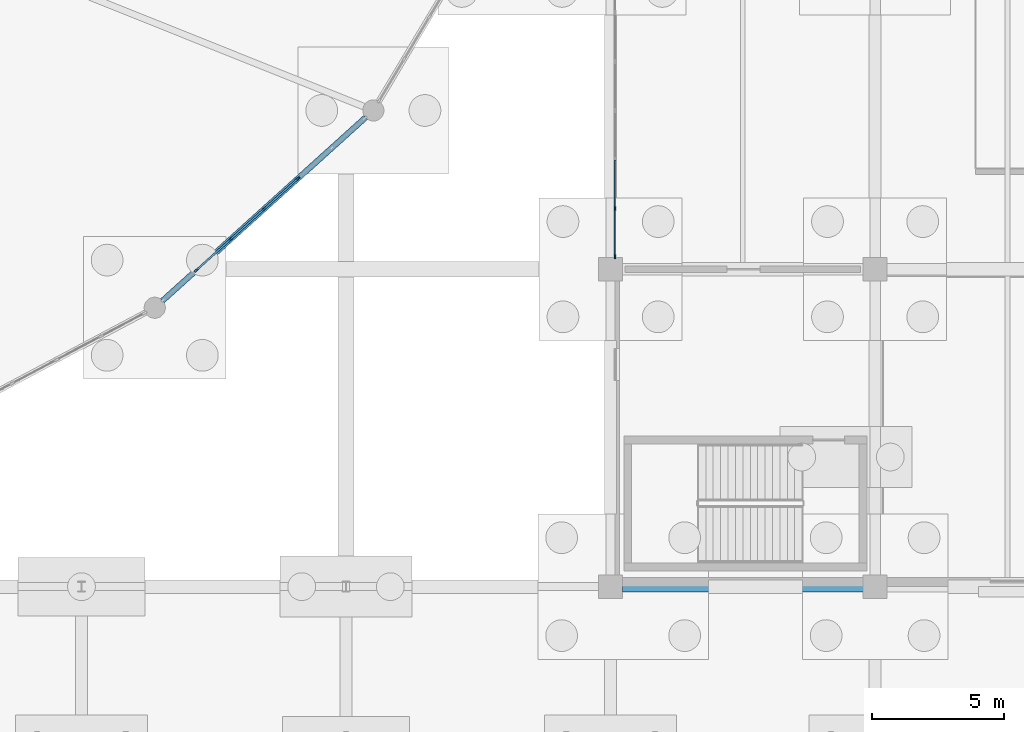
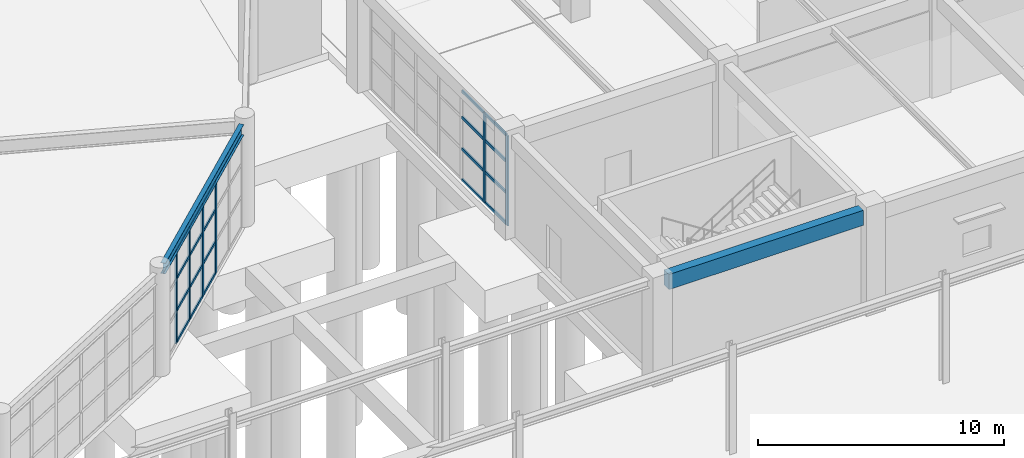
# One storey, part 37 of 99: 26 members, 2 beams, 2 elements without a shape of their own.
"""IFC4 building model written with IfcOpenShell, lengths in metres."""

from ifc_helpers import new_model, si_unit, direction, frame, origin, origin_2d, place, context, subcontext, project, spatial, rectangle, i_section, extrude, material, layer, layer_set, material_profile, profile_set, type_object, element, aggregate, save


model = new_model("IFC4")

# Units and contexts
model_context = context("Model", 3, precision=1e-05, world=origin(), true_north=direction((0.0, 1.0)))
body_context = subcontext(model_context, "Body", "Model", "MODEL_VIEW")
ifc_project = project(units=[si_unit("LENGTHUNIT", "METRE"), si_unit("AREAUNIT", "SQUARE_METRE"), si_unit("VOLUMEUNIT", "CUBIC_METRE"), si_unit("PLANEANGLEUNIT", "RADIAN"), si_unit("MASSUNIT", "GRAM", prefix="KILO")], contexts=[model_context])

# Site, building, storey
site_placement = place(None, origin())
site = spatial("IfcSite", under=ifc_project, at=site_placement, CompositionType="ELEMENT")
building_placement = place(site_placement, origin())
building = spatial("IfcBuilding", under=site, at=building_placement, Name="Kivolera Central Railway Station", CompositionType="ELEMENT")
storey_placement = place(building_placement, origin())
storey = spatial("IfcBuildingStorey", under=building, at=storey_placement, Name="L00", CompositionType="ELEMENT", Elevation=0.0)

# Beams
ifc_material_1 = material(Name="Steel S355", Category="steel")
ifc_material_profile_1 = material_profile(ifc_material_1, i_section(OverallWidth=0.209228515625, OverallDepth=0.533203125, WebThickness=0.010009765625, FlangeThickness=0.015625, FilletRadius=0.0126953125, at=origin_2d()), Name="UB 533x210x92")
ifc_profile_set_1 = profile_set([ifc_material_profile_1], Name="Steel S355")
beam_type_1 = type_object("IfcBeamType", Name="BM-SHD-UB533", PredefinedType="BEAM", material=ifc_profile_set_1)
beam_1_placement = place(storey_placement, frame((101.06005859375, 64.804931640625, 4.841064453125), z_axis=(0.742356199881, 0.670005427215, 0.0), x_axis=(-0.670005427215, 0.742356199881, 0.0)))
element("IfcBeam", 1, at=beam_1_placement, inside=storey, type_object=beam_type_1, Name="L00 Oval Perimeter Ring Beam 22", PredefinedType="BEAM", context=body_context, shape_type="SweptSolid", body=[
    extrude(i_section(OverallWidth=0.209228515625, OverallDepth=0.533203125, WebThickness=0.010009765625, FlangeThickness=0.015625, FilletRadius=0.0126953125, at=origin_2d()), origin(), (0.0, 0.0, 1.0), 10.349365234375),
])
ifc_material_2 = material(Name="Concrete C40/50", Category="concrete")
ifc_material_profile_2 = material_profile(ifc_material_2, rectangle(XDim=0.39990234375, YDim=0.75, at=origin_2d()), Name="RC 400x750")
ifc_profile_set_2 = profile_set([ifc_material_profile_2], Name="Concrete C40/50")
beam_type_2 = type_object("IfcBeamType", Name="BM-SPN-RC750", PredefinedType="SPANDREL", material=ifc_profile_set_2)
beam_2_placement = place(storey_placement, frame((118.44189453125, 54.0, 4.7451171875), z_axis=(1.0, 0.0, 0.0), x_axis=(0.0, 1.0, 0.0)))
element("IfcBeam", 2, at=beam_2_placement, inside=storey, type_object=beam_type_2, Name="L00 Wing X-Beam E:12-13", PredefinedType="SPANDREL", context=body_context, shape_type="SweptSolid", body=[
    extrude(rectangle(XDim=0.39990234375, YDim=0.75, at=origin_2d()), origin(), (0.0, 0.0, 1.0), 9.1162109375),
])

# Curtain wall, members
ifc_material_3 = material(Name="Anodised aluminium", Category="aluminium")
ifc_layer_1 = layer(ifc_material_3, 0.179931640625, Name="Anodised aluminium")
ifc_layer_set_1 = layer_set([ifc_layer_1], Name="Anodised aluminium")
curtain_wall_type_1 = type_object("IfcCurtainWallType", Name="CW-SYS-04", PredefinedType="NOTDEFINED", material=ifc_layer_set_1)
curtain_wall_1_placement = place(storey_placement, origin())
curtain_wall_1 = element("IfcCurtainWall", 3, at=curtain_wall_1_placement, inside=storey, type_object=curtain_wall_type_1, Name="L00 Curtain Wall CW-L00-OVL-21", PredefinedType="NOTDEFINED")
ifc_material_profile_3 = material_profile(ifc_material_3, rectangle(XDim=0.070068359375, YDim=0.179931640625, at=origin_2d()), Name="ALU MULL 70x180")
ifc_profile_set_3 = profile_set([ifc_material_profile_3], Name="Anodised aluminium")
member_type_1 = type_object("IfcMemberType", Name="CWM-MUL-1", PredefinedType="MULLION", material=ifc_profile_set_3)
member_1_placement = place(storey_placement, frame((106.1796875, 69.42529296875, -0.0048828125), z_axis=(0.0, 0.0, 1.0), x_axis=(0.66992157428, -0.742431871833, 0.0)))
member_1 = element("IfcMember", 4, at=member_1_placement, type_object=member_type_1, Name="CW-04 mullion 3", PredefinedType="MULLION", context=body_context, shape_type="SweptSolid", body=[
    extrude(rectangle(XDim=0.070068359375, YDim=0.179931640625, at=origin_2d()), origin(), (0.0, 0.0, 1.0), 4.554931640625),
])
member_2_placement = place(storey_placement, frame((104.901611328125, 68.27197265625, -0.0048828125), z_axis=(0.0, 0.0, 1.0), x_axis=(0.66992157428, -0.742431871833, 0.0)))
member_2 = element("IfcMember", 5, at=member_2_placement, type_object=member_type_1, Name="CW-04 mullion 4", PredefinedType="MULLION", context=body_context, shape_type="SweptSolid", body=[
    extrude(rectangle(XDim=0.070068359375, YDim=0.179931640625, at=origin_2d()), origin(), (0.0, 0.0, 1.0), 4.554931640625),
])
member_3_placement = place(storey_placement, frame((103.623291015625, 67.11865234375, -0.0048828125), z_axis=(0.0, 0.0, 1.0), x_axis=(0.66992157428, -0.742431871833, 0.0)))
member_3 = element("IfcMember", 6, at=member_3_placement, type_object=member_type_1, Name="CW-04 mullion 5", PredefinedType="MULLION", context=body_context, shape_type="SweptSolid", body=[
    extrude(rectangle(XDim=0.070068359375, YDim=0.179931640625, at=origin_2d()), origin(), (0.0, 0.0, 1.0), 4.554931640625),
])
member_4_placement = place(storey_placement, frame((102.34521484375, 65.96533203125, -0.0048828125), z_axis=(0.0, 0.0, 1.0), x_axis=(0.66992157428, -0.742431871833, 0.0)))
member_4 = element("IfcMember", 7, at=member_4_placement, type_object=member_type_1, Name="CW-04 mullion 6", PredefinedType="MULLION", context=body_context, shape_type="SweptSolid", body=[
    extrude(rectangle(XDim=0.070068359375, YDim=0.179931640625, at=origin_2d()), origin(), (0.0, 0.0, 1.0), 4.554931640625),
])

ifc_layer_2 = layer(ifc_material_3, 0.179931640625, Name="Anodised aluminium")
ifc_layer_set_2 = layer_set([ifc_layer_2], Name="Anodised aluminium")
curtain_wall_type_2 = type_object("IfcCurtainWallType", Name="CW-SYS-23", PredefinedType="NOTDEFINED", material=ifc_layer_set_2)
curtain_wall_2_placement = place(storey_placement, origin())
curtain_wall_2 = element("IfcCurtainWall", 8, at=curtain_wall_2_placement, inside=storey, type_object=curtain_wall_type_2, Name="L00 Curtain Wall CW-L00-WEST-F", PredefinedType="NOTDEFINED")
member_5_placement = place(storey_placement, frame((118.169921875, 66.47998046875, -0.0048828125), z_axis=(0.0, 0.0, 1.0), x_axis=(-1.0, 0.0, 0.0)))
member_5 = element("IfcMember", 9, at=member_5_placement, type_object=member_type_1, Name="CW-23 mullion 1", PredefinedType="MULLION", context=body_context, shape_type="SweptSolid", body=[
    extrude(rectangle(XDim=0.070068359375, YDim=0.179931640625, at=origin_2d()), origin(), (0.0, 0.0, 1.0), 4.462890625),
])
member_6_placement = place(storey_placement, frame((118.169921875, 68.296630859375, -0.0048828125), z_axis=(0.0, 0.0, 1.0), x_axis=(-1.0, 0.0, 0.0)))
member_6 = element("IfcMember", 10, at=member_6_placement, type_object=member_type_1, Name="CW-23 mullion 2", PredefinedType="MULLION", context=body_context, shape_type="SweptSolid", body=[
    extrude(rectangle(XDim=0.070068359375, YDim=0.179931640625, at=origin_2d()), origin(), (0.0, 0.0, 1.0), 4.462890625),
])

# Member
ifc_material_profile_4 = material_profile(ifc_material_3, rectangle(XDim=0.070068359375, YDim=0.139892578125, at=origin_2d()), Name="ALU TRAN 70x140")
ifc_profile_set_4 = profile_set([ifc_material_profile_4], Name="Anodised aluminium")
member_type_2 = type_object("IfcMemberType", Name="CWM-TRN-1", PredefinedType="USERDEFINED", material=ifc_profile_set_4)
member_7_placement = place(storey_placement, frame((106.153564453125, 69.40185546875, 0.034912109375), z_axis=(-0.742396704206, -0.669960546289, 0.0), x_axis=(0.669960546289, -0.742396704206, 0.0)))
member_7 = element("IfcMember", 11, at=member_7_placement, type_object=member_type_2, Name="CW-04 transom 3.1", ObjectType="TRANSOM", PredefinedType="USERDEFINED", context=body_context, shape_type="SweptSolid", body=[
    extrude(rectangle(XDim=0.070068359375, YDim=0.139892578125, at=origin_2d()), origin(), (0.0, 0.0, 1.0), 1.651611328125),
])

member_8_placement = place(storey_placement, frame((106.153564453125, 69.40185546875, 1.592529296875), z_axis=(-0.742396704206, -0.669960546289, 0.0), x_axis=(0.669960546289, -0.742396704206, 0.0)))
member_8 = element("IfcMember", 12, at=member_8_placement, type_object=member_type_2, Name="CW-04 transom 3.2", ObjectType="TRANSOM", PredefinedType="USERDEFINED", context=body_context, shape_type="SweptSolid", body=[
    extrude(rectangle(XDim=0.070068359375, YDim=0.139892578125, at=origin_2d()), origin(), (0.0, 0.0, 1.0), 1.651611328125),
])

member_9_placement = place(storey_placement, frame((106.153564453125, 69.40185546875, 3.18505859375), z_axis=(-0.742396704206, -0.669960546289, 0.0), x_axis=(0.669960546289, -0.742396704206, 0.0)))
member_9 = element("IfcMember", 13, at=member_9_placement, type_object=member_type_2, Name="CW-04 transom 3.3", ObjectType="TRANSOM", PredefinedType="USERDEFINED", context=body_context, shape_type="SweptSolid", body=[
    extrude(rectangle(XDim=0.070068359375, YDim=0.139892578125, at=origin_2d()), origin(), (0.0, 0.0, 1.0), 1.651611328125),
])

member_10_placement = place(storey_placement, frame((106.153564453125, 69.40185546875, 4.514892578125), z_axis=(-0.742396704206, -0.669960546289, 0.0), x_axis=(0.669960546289, -0.742396704206, 0.0)))
member_10 = element("IfcMember", 14, at=member_10_placement, type_object=member_type_2, Name="CW-04 transom 3.4", ObjectType="TRANSOM", PredefinedType="USERDEFINED", context=body_context, shape_type="SweptSolid", body=[
    extrude(rectangle(XDim=0.070068359375, YDim=0.139892578125, at=origin_2d()), origin(), (0.0, 0.0, 1.0), 1.651611328125),
])

member_11_placement = place(storey_placement, frame((104.87548828125, 68.24853515625, 0.034912109375), z_axis=(-0.742396704206, -0.669960546289, 0.0), x_axis=(0.669960546289, -0.742396704206, 0.0)))
member_11 = element("IfcMember", 15, at=member_11_placement, type_object=member_type_2, Name="CW-04 transom 4.1", ObjectType="TRANSOM", PredefinedType="USERDEFINED", context=body_context, shape_type="SweptSolid", body=[
    extrude(rectangle(XDim=0.070068359375, YDim=0.139892578125, at=origin_2d()), origin(), (0.0, 0.0, 1.0), 1.651611328125),
])

member_12_placement = place(storey_placement, frame((104.87548828125, 68.24853515625, 1.592529296875), z_axis=(-0.742396704206, -0.669960546289, 0.0), x_axis=(0.669960546289, -0.742396704206, 0.0)))
member_12 = element("IfcMember", 16, at=member_12_placement, type_object=member_type_2, Name="CW-04 transom 4.2", ObjectType="TRANSOM", PredefinedType="USERDEFINED", context=body_context, shape_type="SweptSolid", body=[
    extrude(rectangle(XDim=0.070068359375, YDim=0.139892578125, at=origin_2d()), origin(), (0.0, 0.0, 1.0), 1.651611328125),
])

member_13_placement = place(storey_placement, frame((104.87548828125, 68.24853515625, 3.18505859375), z_axis=(-0.742396704206, -0.669960546289, 0.0), x_axis=(0.669960546289, -0.742396704206, 0.0)))
member_13 = element("IfcMember", 17, at=member_13_placement, type_object=member_type_2, Name="CW-04 transom 4.3", ObjectType="TRANSOM", PredefinedType="USERDEFINED", context=body_context, shape_type="SweptSolid", body=[
    extrude(rectangle(XDim=0.070068359375, YDim=0.139892578125, at=origin_2d()), origin(), (0.0, 0.0, 1.0), 1.651611328125),
])

member_14_placement = place(storey_placement, frame((104.87548828125, 68.24853515625, 4.514892578125), z_axis=(-0.742396704206, -0.669960546289, 0.0), x_axis=(0.669960546289, -0.742396704206, 0.0)))
member_14 = element("IfcMember", 18, at=member_14_placement, type_object=member_type_2, Name="CW-04 transom 4.4", ObjectType="TRANSOM", PredefinedType="USERDEFINED", context=body_context, shape_type="SweptSolid", body=[
    extrude(rectangle(XDim=0.070068359375, YDim=0.139892578125, at=origin_2d()), origin(), (0.0, 0.0, 1.0), 1.651611328125),
])

member_15_placement = place(storey_placement, frame((103.597412109375, 67.09521484375, 0.034912109375), z_axis=(-0.74246304586, -0.669887024455, 0.0), x_axis=(0.669887024455, -0.74246304586, 0.0)))
member_15 = element("IfcMember", 19, at=member_15_placement, type_object=member_type_2, Name="CW-04 transom 5.1", ObjectType="TRANSOM", PredefinedType="USERDEFINED", context=body_context, shape_type="SweptSolid", body=[
    extrude(rectangle(XDim=0.070068359375, YDim=0.139892578125, at=origin_2d()), origin(), (0.0, 0.0, 1.0), 1.651611328125),
])

member_16_placement = place(storey_placement, frame((103.597412109375, 67.09521484375, 1.592529296875), z_axis=(-0.74246304586, -0.669887024455, 0.0), x_axis=(0.669887024455, -0.74246304586, 0.0)))
member_16 = element("IfcMember", 20, at=member_16_placement, type_object=member_type_2, Name="CW-04 transom 5.2", ObjectType="TRANSOM", PredefinedType="USERDEFINED", context=body_context, shape_type="SweptSolid", body=[
    extrude(rectangle(XDim=0.070068359375, YDim=0.139892578125, at=origin_2d()), origin(), (0.0, 0.0, 1.0), 1.651611328125),
])

member_17_placement = place(storey_placement, frame((103.597412109375, 67.09521484375, 3.18505859375), z_axis=(-0.74246304586, -0.669887024455, 0.0), x_axis=(0.669887024455, -0.74246304586, 0.0)))
member_17 = element("IfcMember", 21, at=member_17_placement, type_object=member_type_2, Name="CW-04 transom 5.3", ObjectType="TRANSOM", PredefinedType="USERDEFINED", context=body_context, shape_type="SweptSolid", body=[
    extrude(rectangle(XDim=0.070068359375, YDim=0.139892578125, at=origin_2d()), origin(), (0.0, 0.0, 1.0), 1.651611328125),
])

member_18_placement = place(storey_placement, frame((103.597412109375, 67.09521484375, 4.514892578125), z_axis=(-0.74246304586, -0.669887024455, 0.0), x_axis=(0.669887024455, -0.74246304586, 0.0)))
member_18 = element("IfcMember", 22, at=member_18_placement, type_object=member_type_2, Name="CW-04 transom 5.4", ObjectType="TRANSOM", PredefinedType="USERDEFINED", context=body_context, shape_type="SweptSolid", body=[
    extrude(rectangle(XDim=0.070068359375, YDim=0.139892578125, at=origin_2d()), origin(), (0.0, 0.0, 1.0), 1.651611328125),
])

aggregate(curtain_wall_1, [member_1, member_2, member_3, member_4, member_7, member_8, member_9, member_10, member_11, member_12, member_13, member_14, member_15, member_16, member_17, member_18])

member_19_placement = place(storey_placement, frame((118.169921875, 66.514892578125, 0.034912109375), z_axis=(0.0, 1.0, 0.0), x_axis=(-1.0, 0.0, 0.0)))
member_19 = element("IfcMember", 23, at=member_19_placement, type_object=member_type_2, Name="CW-23 transom 1.1", ObjectType="TRANSOM", PredefinedType="USERDEFINED", context=body_context, shape_type="SweptSolid", body=[
    extrude(rectangle(XDim=0.070068359375, YDim=0.139892578125, at=origin_2d()), origin(), (0.0, 0.0, 1.0), 1.746826171875),
])

member_20_placement = place(storey_placement, frame((118.169921875, 66.514892578125, 1.560302734375), z_axis=(0.0, 1.0, 0.0), x_axis=(-1.0, 0.0, 0.0)))
member_20 = element("IfcMember", 24, at=member_20_placement, type_object=member_type_2, Name="CW-23 transom 1.2", ObjectType="TRANSOM", PredefinedType="USERDEFINED", context=body_context, shape_type="SweptSolid", body=[
    extrude(rectangle(XDim=0.070068359375, YDim=0.139892578125, at=origin_2d()), origin(), (0.0, 0.0, 1.0), 1.746826171875),
])

member_21_placement = place(storey_placement, frame((118.169921875, 66.514892578125, 3.12060546875), z_axis=(0.0, 1.0, 0.0), x_axis=(-1.0, 0.0, 0.0)))
member_21 = element("IfcMember", 25, at=member_21_placement, type_object=member_type_2, Name="CW-23 transom 1.3", ObjectType="TRANSOM", PredefinedType="USERDEFINED", context=body_context, shape_type="SweptSolid", body=[
    extrude(rectangle(XDim=0.070068359375, YDim=0.139892578125, at=origin_2d()), origin(), (0.0, 0.0, 1.0), 1.746826171875),
])

member_22_placement = place(storey_placement, frame((118.169921875, 66.514892578125, 4.423095703125), z_axis=(0.0, 1.0, 0.0), x_axis=(-1.0, 0.0, 0.0)))
member_22 = element("IfcMember", 26, at=member_22_placement, type_object=member_type_2, Name="CW-23 transom 1.4", ObjectType="TRANSOM", PredefinedType="USERDEFINED", context=body_context, shape_type="SweptSolid", body=[
    extrude(rectangle(XDim=0.070068359375, YDim=0.139892578125, at=origin_2d()), origin(), (0.0, 0.0, 1.0), 1.746826171875),
])

member_23_placement = place(storey_placement, frame((118.169921875, 68.331787109375, 0.034912109375), z_axis=(0.0, 1.0, 0.0), x_axis=(-1.0, 0.0, 0.0)))
member_23 = element("IfcMember", 27, at=member_23_placement, type_object=member_type_2, Name="CW-23 transom 2.1", ObjectType="TRANSOM", PredefinedType="USERDEFINED", context=body_context, shape_type="SweptSolid", body=[
    extrude(rectangle(XDim=0.070068359375, YDim=0.139892578125, at=origin_2d()), origin(), (0.0, 0.0, 1.0), 1.781494140625),
])

member_24_placement = place(storey_placement, frame((118.169921875, 68.331787109375, 1.560302734375), z_axis=(0.0, 1.0, 0.0), x_axis=(-1.0, 0.0, 0.0)))
member_24 = element("IfcMember", 28, at=member_24_placement, type_object=member_type_2, Name="CW-23 transom 2.2", ObjectType="TRANSOM", PredefinedType="USERDEFINED", context=body_context, shape_type="SweptSolid", body=[
    extrude(rectangle(XDim=0.070068359375, YDim=0.139892578125, at=origin_2d()), origin(), (0.0, 0.0, 1.0), 1.781494140625),
])

member_25_placement = place(storey_placement, frame((118.169921875, 68.331787109375, 3.12060546875), z_axis=(0.0, 1.0, 0.0), x_axis=(-1.0, 0.0, 0.0)))
member_25 = element("IfcMember", 29, at=member_25_placement, type_object=member_type_2, Name="CW-23 transom 2.3", ObjectType="TRANSOM", PredefinedType="USERDEFINED", context=body_context, shape_type="SweptSolid", body=[
    extrude(rectangle(XDim=0.070068359375, YDim=0.139892578125, at=origin_2d()), origin(), (0.0, 0.0, 1.0), 1.781494140625),
])

member_26_placement = place(storey_placement, frame((118.169921875, 68.331787109375, 4.423095703125), z_axis=(0.0, 1.0, 0.0), x_axis=(-1.0, 0.0, 0.0)))
member_26 = element("IfcMember", 30, at=member_26_placement, type_object=member_type_2, Name="CW-23 transom 2.4", ObjectType="TRANSOM", PredefinedType="USERDEFINED", context=body_context, shape_type="SweptSolid", body=[
    extrude(rectangle(XDim=0.070068359375, YDim=0.139892578125, at=origin_2d()), origin(), (0.0, 0.0, 1.0), 1.781494140625),
])

aggregate(curtain_wall_2, [member_5, member_6, member_19, member_20, member_21, member_22, member_23, member_24, member_25, member_26])

save(model, "model.ifc")
